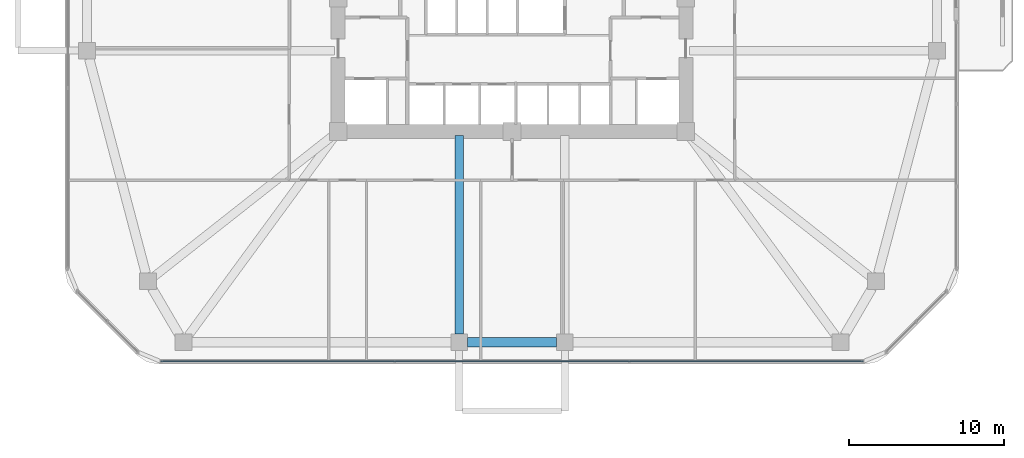
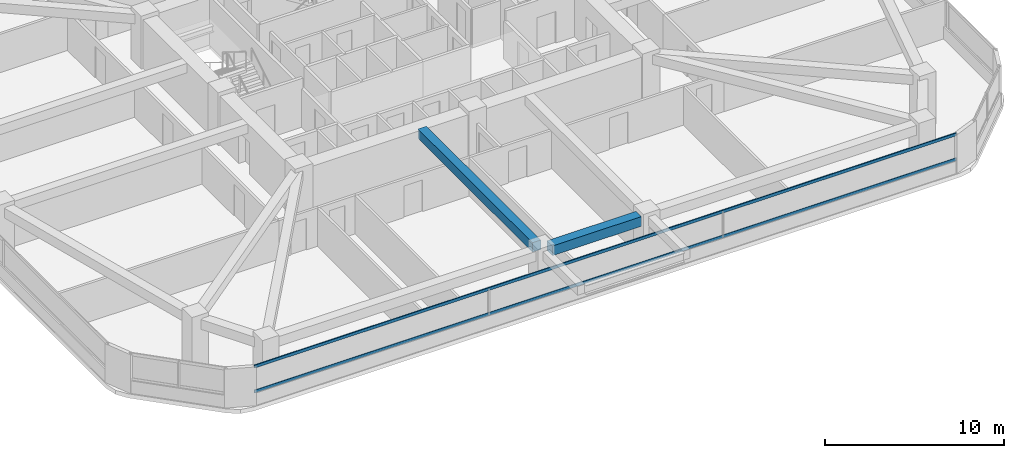
# One storey, part 3 of 14: 2 beams, 2 members, 1 element without a shape of its own.
"""IFC4 building model written with IfcOpenShell, lengths in metres."""

from ifc_helpers import new_model, si_unit, derived_unit, direction, frame, origin, origin_2d, place, context, subcontext, project, spatial, rectangle, extrude, material, material_profile, profile_set, type_object, element, aggregate, save


model = new_model("IFC4")

# Units and contexts
model_context = context("Model", 3, precision=1e-05, world=origin(), true_north=direction((0.0, 1.0)))
body_context = subcontext(model_context, "Body", "Model", "MODEL_VIEW")
ifc_project = project(units=[si_unit("LENGTHUNIT", "METRE"), si_unit("AREAUNIT", "SQUARE_METRE"), si_unit("VOLUMEUNIT", "CUBIC_METRE"), si_unit("PLANEANGLEUNIT", "RADIAN"), si_unit("MASSUNIT", "GRAM", prefix="KILO"), derived_unit("THERMALTRANSMITTANCEUNIT", [(si_unit("POWERUNIT", "WATT"), 1), (si_unit("LENGTHUNIT", "METRE"), -2), (si_unit("THERMODYNAMICTEMPERATUREUNIT", "KELVIN"), -1)])], contexts=[model_context])

# Site, building, storey
site_placement = place(None, origin())
site = spatial("IfcSite", under=ifc_project, at=site_placement, CompositionType="ELEMENT")
building_placement = place(site_placement, origin())
building = spatial("IfcBuilding", under=site, at=building_placement, Name="Koralith Skygarden Medical Center", CompositionType="ELEMENT")
storey_placement = place(building_placement, frame((0.0, 0.0, 31.139892578125)))
storey = spatial("IfcBuildingStorey", under=building, at=storey_placement, Name="L07", CompositionType="ELEMENT", Elevation=31.139892578125)

# Curtain wall, members
ifc_material_1 = material(Name="Clear Laminated Glass", Category="glass")
curtain_wall_type = type_object("IfcCurtainWallType", Name="CW-2 Zone 1 Hurricane Unitised Curtain Wall", PredefinedType="NOTDEFINED", material=ifc_material_1)
curtain_wall_placement = place(storey_placement, origin())
curtain_wall = element("IfcCurtainWall", 1, at=curtain_wall_placement, inside=storey, type_object=curtain_wall_type, Name="Curtain Wall CW-L07-S", PredefinedType="NOTDEFINED")
ifc_material_2 = material(Name="Aluminium 6063-T6", Category="aluminium")
ifc_material_profile_1 = material_profile(ifc_material_2, rectangle(XDim=0.06591796875, YDim=0.197998046875, at=origin_2d()), Name="TRN66X198")
ifc_profile_set_1 = profile_set([ifc_material_profile_1], Name="Aluminium 6063-T6")
member_type = type_object("IfcMemberType", Name="CW-2 Thermal Transom 66x198", PredefinedType="USERDEFINED", material=ifc_profile_set_1)
member_1_placement = place(storey_placement, frame((14.35498046875, 2.47998046875, 0.900146484375), z_axis=(1.0, 0.0, 0.0), x_axis=(0.0, 1.0, 0.0)))
member_1 = element("IfcMember", 2, at=member_1_placement, type_object=member_type, Name="CW-L07-S Transom 1", ObjectType="TRANSOM", PredefinedType="USERDEFINED", context=body_context, shape_type="SweptSolid", body=[
    extrude(rectangle(XDim=0.06591796875, YDim=0.197998046875, at=origin_2d()), origin(), (0.0, 0.0, 1.0), 45.2900390625),
])
member_2_placement = place(storey_placement, frame((14.35498046875, 2.47998046875, 2.60009765625), z_axis=(1.0, 0.0, 0.0), x_axis=(0.0, 1.0, 0.0)))
member_2 = element("IfcMember", 3, at=member_2_placement, type_object=member_type, Name="CW-L07-S Transom 2", ObjectType="TRANSOM", PredefinedType="USERDEFINED", context=body_context, shape_type="SweptSolid", body=[
    extrude(rectangle(XDim=0.06591796875, YDim=0.197998046875, at=origin_2d()), origin(), (0.0, 0.0, 1.0), 45.2900390625),
])
aggregate(curtain_wall, [member_1, member_2])

# Beams
ifc_material_3 = material(Name="Concrete C45/55", Category="concrete")
ifc_material_profile_2 = material_profile(ifc_material_3, rectangle(XDim=0.550048828125, YDim=0.639892578125, at=origin_2d()), Name="RCB550X640")
ifc_profile_set_2 = profile_set([ifc_material_profile_2], Name="Concrete C45/55")
beam_type_1 = type_object("IfcBeamType", Name="Radial Collector Beam RCB550X640", PredefinedType="BEAM", material=ifc_profile_set_2)
beam_1_placement = place(storey_placement, frame((33.60009765625, 17.050048828125, 3.0), z_axis=(0.0, -1.0, 0.0), x_axis=(1.0, 0.0, 0.0)))
element("IfcBeam", 4, at=beam_1_placement, inside=storey, type_object=beam_type_1, Name="L07 Radial Collector Beam RB-04", PredefinedType="BEAM", context=body_context, shape_type="SweptSolid", body=[
    extrude(rectangle(XDim=0.550048828125, YDim=0.639892578125, at=origin_2d()), origin(), (0.0, 0.0, 1.0), 12.800048828125),
])
ifc_material_profile_3 = material_profile(ifc_material_3, rectangle(XDim=0.60009765625, YDim=0.659912109375, at=origin_2d()), Name="RCB600X660")
ifc_profile_set_3 = profile_set([ifc_material_profile_3], Name="Concrete C45/55")
beam_type_2 = type_object("IfcBeamType", Name="Zone 1 Spandrel Beam RCB600X660", PredefinedType="SPANDREL", material=ifc_profile_set_3)
beam_2_placement = place(storey_placement, frame((34.1298828125, 3.719970703125, 2.989990234375), z_axis=(1.0, 0.0, 0.0), x_axis=(0.0, 1.0, 0.0)))
element("IfcBeam", 5, at=beam_2_placement, inside=storey, type_object=beam_type_2, Name="L07 Perimeter Spandrel Beam SP-04", PredefinedType="SPANDREL", context=body_context, shape_type="SweptSolid", body=[
    extrude(rectangle(XDim=0.60009765625, YDim=0.659912109375, at=origin_2d()), origin(), (0.0, 0.0, 1.0), 5.740234375),
])

save(model, "model.ifc")
